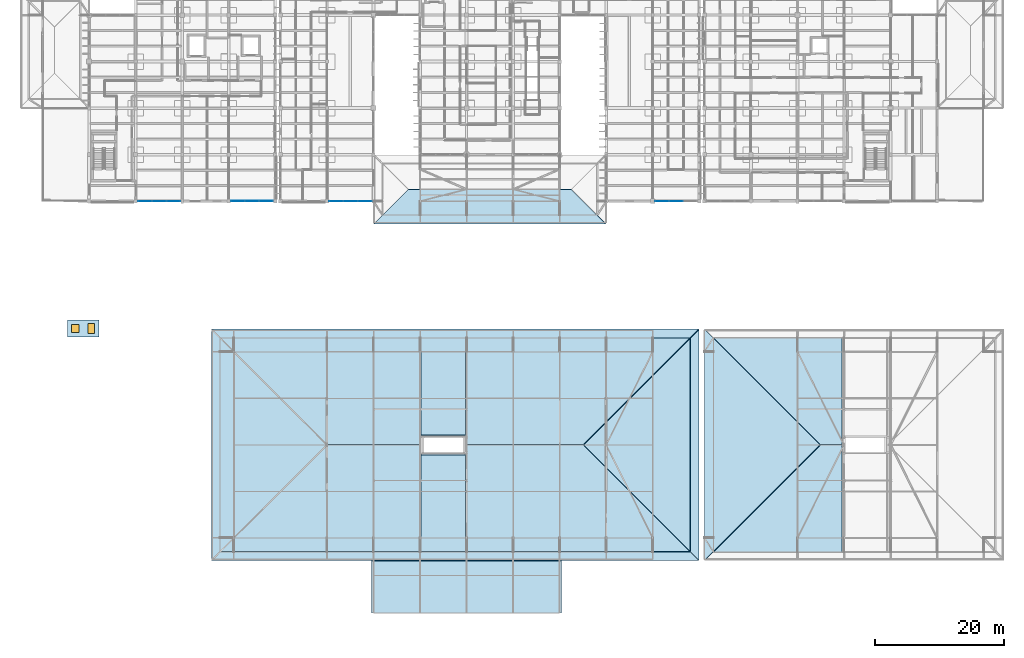
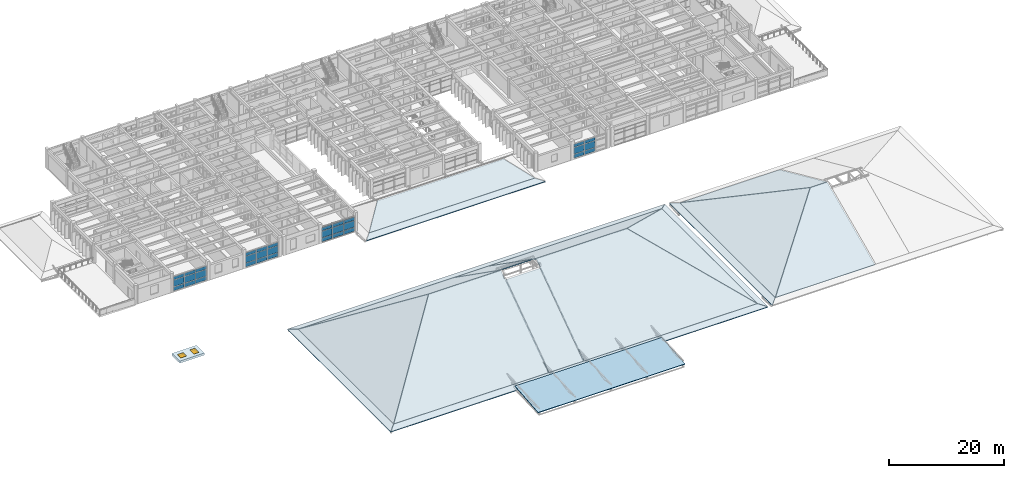
# One storey, part 48 of 100: 33 plates, 20 slabs, 1 door, 1 window, 2 openings, 7 elements without a shape of their own.
"""IFC4 building model written with IfcOpenShell, lengths in metres."""

from ifc_helpers import new_model, si_unit, direction, frame, origin, origin_2d, place, context, subcontext, project, spatial, polyline, rectangle, outline, extrude, material, layer, layer_set, type_object, element, fill, aggregate, save


model = new_model("IFC4")

# Units and contexts
model_context = context("Model", 3, precision=1e-05, world=origin(), true_north=direction((0.0, 1.0)))
body_context = subcontext(model_context, "Body", "Model", "MODEL_VIEW")
ifc_project = project(units=[si_unit("LENGTHUNIT", "METRE"), si_unit("AREAUNIT", "SQUARE_METRE"), si_unit("VOLUMEUNIT", "CUBIC_METRE"), si_unit("PLANEANGLEUNIT", "RADIAN"), si_unit("MASSUNIT", "GRAM", prefix="KILO")], contexts=[model_context])

# Site, building, storey
site_placement = place(None, origin())
site = spatial("IfcSite", under=ifc_project, at=site_placement, CompositionType="ELEMENT")
building_placement = place(site_placement, origin())
building = spatial("IfcBuilding", under=site, at=building_placement, Name="Steenspoor Specialist Clinic", CompositionType="ELEMENT")
storey_placement = place(building_placement, frame((0.0, 0.0, 9.0)))
storey = spatial("IfcBuildingStorey", under=building, at=storey_placement, Name="L02", CompositionType="ELEMENT", Elevation=9.0)

# Curtain wall, plates
ifc_material_1 = material(Name="Thermally broken aluminium and low-emissivity glass", Category="aluminium")
curtain_wall_type_1 = type_object("IfcCurtainWallType", Name="CW-SCR-480X320", PredefinedType="USERDEFINED", material=ifc_material_1)
curtain_wall_1_placement = place(storey_placement, origin())
curtain_wall_1 = element("IfcCurtainWall", 1, at=curtain_wall_1_placement, inside=storey, type_object=curtain_wall_type_1, Name="Unitised Curtain Wall CW-V4-L02-090", ObjectType="UNITISED GLAZING", PredefinedType="USERDEFINED")
ifc_material_2 = material(Name="Double low-emissivity insulated glass", Category="glass")
ifc_layer_1 = layer(ifc_material_2, 0.035888671875)
ifc_layer_set_1 = layer_set([ifc_layer_1], Name="Double low-emissivity insulated glass")
plate_type_1 = type_object("IfcPlateType", Name="CW-PAN-GL36", PredefinedType="CURTAIN_PANEL", material=ifc_layer_set_1)
plate_1_placement = place(storey_placement, frame((113.612548828125, 65.14990234375, 0.080078125), z_axis=(0.0, 0.0, 1.0), x_axis=(-1.0, 0.0, 0.0)))
plate_1 = element("IfcPlate", 2, at=plate_1_placement, type_object=plate_type_1, Name="CW-18 panel 2.1", PredefinedType="CURTAIN_PANEL", context=body_context, shape_type="SweptSolid", body=[
    extrude(rectangle(XDim=2.111572265625, YDim=0.035888671875, at=origin_2d()), origin(), (0.0, 0.0, 1.0), 0.780029296875),
])
plate_2_placement = place(storey_placement, frame((113.612548828125, 65.14990234375, 0.93994140625), z_axis=(0.0, 0.0, 1.0), x_axis=(-1.0, 0.0, 0.0)))
plate_2 = element("IfcPlate", 3, at=plate_2_placement, type_object=plate_type_1, Name="CW-18 panel 2.2", PredefinedType="CURTAIN_PANEL", context=body_context, shape_type="SweptSolid", body=[
    extrude(rectangle(XDim=2.111572265625, YDim=0.035888671875, at=origin_2d()), origin(), (0.0, 0.0, 1.0), 1.3701171875),
])
plate_3_placement = place(storey_placement, frame((113.612548828125, 65.14990234375, 2.39013671875), z_axis=(0.0, 0.0, 1.0), x_axis=(-1.0, 0.0, 0.0)))
plate_3 = element("IfcPlate", 4, at=plate_3_placement, type_object=plate_type_1, Name="CW-18 panel 2.3", PredefinedType="CURTAIN_PANEL", context=body_context, shape_type="SweptSolid", body=[
    extrude(rectangle(XDim=2.111572265625, YDim=0.035888671875, at=origin_2d()), origin(), (0.0, 0.0, 1.0), 0.659912109375),
])
plate_4_placement = place(storey_placement, frame((111.44091796875, 65.14990234375, 0.080078125), z_axis=(0.0, 0.0, 1.0), x_axis=(-1.0, 0.0, 0.0)))
plate_4 = element("IfcPlate", 5, at=plate_4_placement, type_object=plate_type_1, Name="CW-18 panel 3.1", PredefinedType="CURTAIN_PANEL", context=body_context, shape_type="SweptSolid", body=[
    extrude(rectangle(XDim=2.07177734375, YDim=0.035888671875, at=origin_2d()), origin(), (0.0, 0.0, 1.0), 0.780029296875),
])
plate_5_placement = place(storey_placement, frame((111.44091796875, 65.14990234375, 0.93994140625), z_axis=(0.0, 0.0, 1.0), x_axis=(-1.0, 0.0, 0.0)))
plate_5 = element("IfcPlate", 6, at=plate_5_placement, type_object=plate_type_1, Name="CW-18 panel 3.2", PredefinedType="CURTAIN_PANEL", context=body_context, shape_type="SweptSolid", body=[
    extrude(rectangle(XDim=2.07177734375, YDim=0.035888671875, at=origin_2d()), origin(), (0.0, 0.0, 1.0), 1.3701171875),
])
plate_6_placement = place(storey_placement, frame((111.44091796875, 65.14990234375, 2.39013671875), z_axis=(0.0, 0.0, 1.0), x_axis=(-1.0, 0.0, 0.0)))
plate_6 = element("IfcPlate", 7, at=plate_6_placement, type_object=plate_type_1, Name="CW-18 panel 3.3", PredefinedType="CURTAIN_PANEL", context=body_context, shape_type="SweptSolid", body=[
    extrude(rectangle(XDim=2.07177734375, YDim=0.035888671875, at=origin_2d()), origin(), (0.0, 0.0, 1.0), 0.659912109375),
])
aggregate(curtain_wall_1, [plate_1, plate_2, plate_3, plate_4, plate_5, plate_6])

curtain_wall_type_2 = type_object("IfcCurtainWallType", Name="CW-L00-480X415", PredefinedType="USERDEFINED", material=ifc_material_1)
curtain_wall_2_placement = place(storey_placement, origin())
curtain_wall_2 = element("IfcCurtainWall", 8, at=curtain_wall_2_placement, inside=storey, type_object=curtain_wall_type_2, Name="Unitised Curtain Wall CW-V5-L02-150", ObjectType="UNITISED GLAZING", PredefinedType="USERDEFINED")
plate_7_placement = place(storey_placement, frame((35.842529296875, 65.14990234375, 0.080078125), z_axis=(0.0, 0.0, 1.0), x_axis=(-1.0, 0.0, 0.0)))
plate_7 = element("IfcPlate", 9, at=plate_7_placement, type_object=plate_type_1, Name="CW-06 panel 1.1", PredefinedType="CURTAIN_PANEL", context=body_context, shape_type="SweptSolid", body=[
    extrude(rectangle(XDim=2.10498046875, YDim=0.035888671875, at=origin_2d()), origin(), (0.0, 0.0, 1.0), 0.780029296875),
])
plate_8_placement = place(storey_placement, frame((35.842529296875, 65.14990234375, 0.93994140625), z_axis=(0.0, 0.0, 1.0), x_axis=(-1.0, 0.0, 0.0)))
plate_8 = element("IfcPlate", 10, at=plate_8_placement, type_object=plate_type_1, Name="CW-06 panel 1.2", PredefinedType="CURTAIN_PANEL", context=body_context, shape_type="SweptSolid", body=[
    extrude(rectangle(XDim=2.10498046875, YDim=0.035888671875, at=origin_2d()), origin(), (0.0, 0.0, 1.0), 1.3701171875),
])
plate_9_placement = place(storey_placement, frame((35.842529296875, 65.14990234375, 2.39013671875), z_axis=(0.0, 0.0, 1.0), x_axis=(-1.0, 0.0, 0.0)))
plate_9 = element("IfcPlate", 11, at=plate_9_placement, type_object=plate_type_1, Name="CW-06 panel 1.3", PredefinedType="CURTAIN_PANEL", context=body_context, shape_type="SweptSolid", body=[
    extrude(rectangle(XDim=2.10498046875, YDim=0.035888671875, at=origin_2d()), origin(), (0.0, 0.0, 1.0), 0.659912109375),
])
plate_10_placement = place(storey_placement, frame((33.637451171875, 65.14990234375, 0.080078125), z_axis=(0.0, 0.0, 1.0), x_axis=(-1.0, 0.0, 0.0)))
plate_10 = element("IfcPlate", 12, at=plate_10_placement, type_object=plate_type_1, Name="CW-06 panel 2.1", PredefinedType="CURTAIN_PANEL", context=body_context, shape_type="SweptSolid", body=[
    extrude(rectangle(XDim=2.14501953125, YDim=0.035888671875, at=origin_2d()), origin(), (0.0, 0.0, 1.0), 0.780029296875),
])
plate_11_placement = place(storey_placement, frame((33.637451171875, 65.14990234375, 0.93994140625), z_axis=(0.0, 0.0, 1.0), x_axis=(-1.0, 0.0, 0.0)))
plate_11 = element("IfcPlate", 13, at=plate_11_placement, type_object=plate_type_1, Name="CW-06 panel 2.2", PredefinedType="CURTAIN_PANEL", context=body_context, shape_type="SweptSolid", body=[
    extrude(rectangle(XDim=2.14501953125, YDim=0.035888671875, at=origin_2d()), origin(), (0.0, 0.0, 1.0), 1.3701171875),
])
plate_12_placement = place(storey_placement, frame((33.637451171875, 65.14990234375, 2.39013671875), z_axis=(0.0, 0.0, 1.0), x_axis=(-1.0, 0.0, 0.0)))
plate_12 = element("IfcPlate", 14, at=plate_12_placement, type_object=plate_type_1, Name="CW-06 panel 2.3", PredefinedType="CURTAIN_PANEL", context=body_context, shape_type="SweptSolid", body=[
    extrude(rectangle(XDim=2.14501953125, YDim=0.035888671875, at=origin_2d()), origin(), (0.0, 0.0, 1.0), 0.659912109375),
])
plate_13_placement = place(storey_placement, frame((31.4326171875, 65.14990234375, 0.080078125), z_axis=(0.0, 0.0, 1.0), x_axis=(-1.0, 0.0, 0.0)))
plate_13 = element("IfcPlate", 15, at=plate_13_placement, type_object=plate_type_1, Name="CW-06 panel 3.1", PredefinedType="CURTAIN_PANEL", context=body_context, shape_type="SweptSolid", body=[
    extrude(rectangle(XDim=2.10498046875, YDim=0.035888671875, at=origin_2d()), origin(), (0.0, 0.0, 1.0), 0.780029296875),
])
plate_14_placement = place(storey_placement, frame((31.4326171875, 65.14990234375, 0.93994140625), z_axis=(0.0, 0.0, 1.0), x_axis=(-1.0, 0.0, 0.0)))
plate_14 = element("IfcPlate", 16, at=plate_14_placement, type_object=plate_type_1, Name="CW-06 panel 3.2", PredefinedType="CURTAIN_PANEL", context=body_context, shape_type="SweptSolid", body=[
    extrude(rectangle(XDim=2.10498046875, YDim=0.035888671875, at=origin_2d()), origin(), (0.0, 0.0, 1.0), 1.3701171875),
])
plate_15_placement = place(storey_placement, frame((31.4326171875, 65.14990234375, 2.39013671875), z_axis=(0.0, 0.0, 1.0), x_axis=(-1.0, 0.0, 0.0)))
plate_15 = element("IfcPlate", 17, at=plate_15_placement, type_object=plate_type_1, Name="CW-06 panel 3.3", PredefinedType="CURTAIN_PANEL", context=body_context, shape_type="SweptSolid", body=[
    extrude(rectangle(XDim=2.10498046875, YDim=0.035888671875, at=origin_2d()), origin(), (0.0, 0.0, 1.0), 0.659912109375),
])
aggregate(curtain_wall_2, [plate_7, plate_8, plate_9, plate_10, plate_11, plate_12, plate_13, plate_14, plate_15])

curtain_wall_type_3 = type_object("IfcCurtainWallType", Name="CW-L00-360X415", PredefinedType="USERDEFINED", material=ifc_material_1)
curtain_wall_3_placement = place(storey_placement, origin())
curtain_wall_3 = element("IfcCurtainWall", 18, at=curtain_wall_3_placement, inside=storey, type_object=curtain_wall_type_3, Name="Unitised Curtain Wall CW-V4-L02-103", ObjectType="UNITISED GLAZING", PredefinedType="USERDEFINED")
ifc_material_3 = material(Name="Triple acoustic laminated low-emissivity glass", Category="glass")
ifc_layer_2 = layer(ifc_material_3, 0.048095703125)
ifc_layer_set_2 = layer_set([ifc_layer_2], Name="Triple acoustic laminated low-emissivity glass")
plate_type_2 = type_object("IfcPlateType", Name="CW-PAN-GL48", PredefinedType="CURTAIN_PANEL", material=ifc_layer_set_2)
plate_16_placement = place(storey_placement, frame((65.4423828125, 65.14990234375, 0.06005859375), z_axis=(0.0, 0.0, 1.0), x_axis=(-1.0, 0.0, 0.0)))
plate_16 = element("IfcPlate", 19, at=plate_16_placement, type_object=plate_type_2, Name="CW-07 panel 1.1", PredefinedType="CURTAIN_PANEL", context=body_context, shape_type="SweptSolid", body=[
    extrude(rectangle(XDim=2.10498046875, YDim=0.048095703125, at=origin_2d()), origin(), (0.0, 0.0, 1.0), 0.81005859375),
])
plate_17_placement = place(storey_placement, frame((65.4423828125, 65.14990234375, 0.93017578125), z_axis=(0.0, 0.0, 1.0), x_axis=(-1.0, 0.0, 0.0)))
plate_17 = element("IfcPlate", 20, at=plate_17_placement, type_object=plate_type_2, Name="CW-07 panel 1.2", PredefinedType="CURTAIN_PANEL", context=body_context, shape_type="SweptSolid", body=[
    extrude(rectangle(XDim=2.10498046875, YDim=0.048095703125, at=origin_2d()), origin(), (0.0, 0.0, 1.0), 1.389892578125),
])
plate_18_placement = place(storey_placement, frame((65.4423828125, 65.14990234375, 2.380126953125), z_axis=(0.0, 0.0, 1.0), x_axis=(-1.0, 0.0, 0.0)))
plate_18 = element("IfcPlate", 21, at=plate_18_placement, type_object=plate_type_2, Name="CW-07 panel 1.3", PredefinedType="CURTAIN_PANEL", context=body_context, shape_type="SweptSolid", body=[
    extrude(rectangle(XDim=2.10498046875, YDim=0.048095703125, at=origin_2d()), origin(), (0.0, 0.0, 1.0), 0.68994140625),
])
plate_19_placement = place(storey_placement, frame((63.237548828125, 65.14990234375, 0.06005859375), z_axis=(0.0, 0.0, 1.0), x_axis=(-1.0, 0.0, 0.0)))
plate_19 = element("IfcPlate", 22, at=plate_19_placement, type_object=plate_type_2, Name="CW-07 panel 2.1", PredefinedType="CURTAIN_PANEL", context=body_context, shape_type="SweptSolid", body=[
    extrude(rectangle(XDim=2.14501953125, YDim=0.048095703125, at=origin_2d()), origin(), (0.0, 0.0, 1.0), 0.81005859375),
])
plate_20_placement = place(storey_placement, frame((63.237548828125, 65.14990234375, 0.93017578125), z_axis=(0.0, 0.0, 1.0), x_axis=(-1.0, 0.0, 0.0)))
plate_20 = element("IfcPlate", 23, at=plate_20_placement, type_object=plate_type_2, Name="CW-07 panel 2.2", PredefinedType="CURTAIN_PANEL", context=body_context, shape_type="SweptSolid", body=[
    extrude(rectangle(XDim=2.14501953125, YDim=0.048095703125, at=origin_2d()), origin(), (0.0, 0.0, 1.0), 1.389892578125),
])
plate_21_placement = place(storey_placement, frame((63.237548828125, 65.14990234375, 2.380126953125), z_axis=(0.0, 0.0, 1.0), x_axis=(-1.0, 0.0, 0.0)))
plate_21 = element("IfcPlate", 24, at=plate_21_placement, type_object=plate_type_2, Name="CW-07 panel 2.3", PredefinedType="CURTAIN_PANEL", context=body_context, shape_type="SweptSolid", body=[
    extrude(rectangle(XDim=2.14501953125, YDim=0.048095703125, at=origin_2d()), origin(), (0.0, 0.0, 1.0), 0.68994140625),
])
plate_22_placement = place(storey_placement, frame((61.032470703125, 65.14990234375, 0.06005859375), z_axis=(0.0, 0.0, 1.0), x_axis=(-1.0, 0.0, 0.0)))
plate_22 = element("IfcPlate", 25, at=plate_22_placement, type_object=plate_type_2, Name="CW-07 panel 3.1", PredefinedType="CURTAIN_PANEL", context=body_context, shape_type="SweptSolid", body=[
    extrude(rectangle(XDim=2.10498046875, YDim=0.048095703125, at=origin_2d()), origin(), (0.0, 0.0, 1.0), 0.81005859375),
])
plate_23_placement = place(storey_placement, frame((61.032470703125, 65.14990234375, 0.93017578125), z_axis=(0.0, 0.0, 1.0), x_axis=(-1.0, 0.0, 0.0)))
plate_23 = element("IfcPlate", 26, at=plate_23_placement, type_object=plate_type_2, Name="CW-07 panel 3.2", PredefinedType="CURTAIN_PANEL", context=body_context, shape_type="SweptSolid", body=[
    extrude(rectangle(XDim=2.10498046875, YDim=0.048095703125, at=origin_2d()), origin(), (0.0, 0.0, 1.0), 1.389892578125),
])
plate_24_placement = place(storey_placement, frame((61.032470703125, 65.14990234375, 2.380126953125), z_axis=(0.0, 0.0, 1.0), x_axis=(-1.0, 0.0, 0.0)))
plate_24 = element("IfcPlate", 27, at=plate_24_placement, type_object=plate_type_2, Name="CW-07 panel 3.3", PredefinedType="CURTAIN_PANEL", context=body_context, shape_type="SweptSolid", body=[
    extrude(rectangle(XDim=2.10498046875, YDim=0.048095703125, at=origin_2d()), origin(), (0.0, 0.0, 1.0), 0.68994140625),
])
aggregate(curtain_wall_3, [plate_16, plate_17, plate_18, plate_19, plate_20, plate_21, plate_22, plate_23, plate_24])

curtain_wall_type_4 = type_object("IfcCurtainWallType", Name="CW-L00-650X415", PredefinedType="USERDEFINED", material=ifc_material_1)
curtain_wall_4_placement = place(storey_placement, origin())
curtain_wall_4 = element("IfcCurtainWall", 28, at=curtain_wall_4_placement, inside=storey, type_object=curtain_wall_type_4, Name="Unitised Curtain Wall CW-V5-L02-149", ObjectType="UNITISED GLAZING", PredefinedType="USERDEFINED")
ifc_material_4 = material(Name="Insulated glazed ceramic spandrel panel", Category="glass")
ifc_layer_3 = layer(ifc_material_4, 0.074951171875)
ifc_layer_set_3 = layer_set([ifc_layer_3], Name="Insulated glazed ceramic spandrel panel")
plate_type_3 = type_object("IfcPlateType", Name="CW-PAN-SP75", PredefinedType="CURTAIN_PANEL", material=ifc_layer_set_3)
plate_25_placement = place(storey_placement, frame((50.17333984375, 65.14990234375, 0.08984375), z_axis=(0.0, 0.0, 1.0), x_axis=(-1.0, 0.0, 0.0)))
plate_25 = element("IfcPlate", 29, at=plate_25_placement, type_object=plate_type_3, Name="CW-05 panel 1.1", PredefinedType="CURTAIN_PANEL", context=body_context, shape_type="SweptSolid", body=[
    extrude(rectangle(XDim=2.0732421875, YDim=0.074951171875, at=origin_2d()), origin(), (0.0, 0.0, 1.0), 0.764892578125),
])
plate_26_placement = place(storey_placement, frame((50.17333984375, 65.14990234375, 0.94482421875), z_axis=(0.0, 0.0, 1.0), x_axis=(-1.0, 0.0, 0.0)))
plate_26 = element("IfcPlate", 30, at=plate_26_placement, type_object=plate_type_3, Name="CW-05 panel 1.2", PredefinedType="CURTAIN_PANEL", context=body_context, shape_type="SweptSolid", body=[
    extrude(rectangle(XDim=2.0732421875, YDim=0.074951171875, at=origin_2d()), origin(), (0.0, 0.0, 1.0), 1.360107421875),
])
plate_27_placement = place(storey_placement, frame((50.17333984375, 65.14990234375, 2.39501953125), z_axis=(0.0, 0.0, 1.0), x_axis=(-1.0, 0.0, 0.0)))
plate_27 = element("IfcPlate", 31, at=plate_27_placement, type_object=plate_type_3, Name="CW-05 panel 1.3", PredefinedType="CURTAIN_PANEL", context=body_context, shape_type="SweptSolid", body=[
    extrude(rectangle(XDim=2.0732421875, YDim=0.074951171875, at=origin_2d()), origin(), (0.0, 0.0, 1.0), 0.64501953125),
])
plate_28_placement = place(storey_placement, frame((47.987548828125, 65.14990234375, 0.08984375), z_axis=(0.0, 0.0, 1.0), x_axis=(-1.0, 0.0, 0.0)))
plate_28 = element("IfcPlate", 32, at=plate_28_placement, type_object=plate_type_3, Name="CW-05 panel 2.1", PredefinedType="CURTAIN_PANEL", context=body_context, shape_type="SweptSolid", body=[
    extrude(rectangle(XDim=2.118408203125, YDim=0.074951171875, at=origin_2d()), origin(), (0.0, 0.0, 1.0), 0.764892578125),
])
plate_29_placement = place(storey_placement, frame((47.987548828125, 65.14990234375, 0.94482421875), z_axis=(0.0, 0.0, 1.0), x_axis=(-1.0, 0.0, 0.0)))
plate_29 = element("IfcPlate", 33, at=plate_29_placement, type_object=plate_type_3, Name="CW-05 panel 2.2", PredefinedType="CURTAIN_PANEL", context=body_context, shape_type="SweptSolid", body=[
    extrude(rectangle(XDim=2.118408203125, YDim=0.074951171875, at=origin_2d()), origin(), (0.0, 0.0, 1.0), 1.360107421875),
])
plate_30_placement = place(storey_placement, frame((47.987548828125, 65.14990234375, 2.39501953125), z_axis=(0.0, 0.0, 1.0), x_axis=(-1.0, 0.0, 0.0)))
plate_30 = element("IfcPlate", 34, at=plate_30_placement, type_object=plate_type_3, Name="CW-05 panel 2.3", PredefinedType="CURTAIN_PANEL", context=body_context, shape_type="SweptSolid", body=[
    extrude(rectangle(XDim=2.118408203125, YDim=0.074951171875, at=origin_2d()), origin(), (0.0, 0.0, 1.0), 0.64501953125),
])
plate_31_placement = place(storey_placement, frame((45.8017578125, 65.14990234375, 0.08984375), z_axis=(0.0, 0.0, 1.0), x_axis=(-1.0, 0.0, 0.0)))
plate_31 = element("IfcPlate", 35, at=plate_31_placement, type_object=plate_type_3, Name="CW-05 panel 3.1", PredefinedType="CURTAIN_PANEL", context=body_context, shape_type="SweptSolid", body=[
    extrude(rectangle(XDim=2.0732421875, YDim=0.074951171875, at=origin_2d()), origin(), (0.0, 0.0, 1.0), 0.764892578125),
])
plate_32_placement = place(storey_placement, frame((45.8017578125, 65.14990234375, 0.94482421875), z_axis=(0.0, 0.0, 1.0), x_axis=(-1.0, 0.0, 0.0)))
plate_32 = element("IfcPlate", 36, at=plate_32_placement, type_object=plate_type_3, Name="CW-05 panel 3.2", PredefinedType="CURTAIN_PANEL", context=body_context, shape_type="SweptSolid", body=[
    extrude(rectangle(XDim=2.0732421875, YDim=0.074951171875, at=origin_2d()), origin(), (0.0, 0.0, 1.0), 1.360107421875),
])
plate_33_placement = place(storey_placement, frame((45.8017578125, 65.14990234375, 2.39501953125), z_axis=(0.0, 0.0, 1.0), x_axis=(-1.0, 0.0, 0.0)))
plate_33 = element("IfcPlate", 37, at=plate_33_placement, type_object=plate_type_3, Name="CW-05 panel 3.3", PredefinedType="CURTAIN_PANEL", context=body_context, shape_type="SweptSolid", body=[
    extrude(rectangle(XDim=2.0732421875, YDim=0.074951171875, at=origin_2d()), origin(), (0.0, 0.0, 1.0), 0.64501953125),
])
aggregate(curtain_wall_4, [plate_25, plate_26, plate_27, plate_28, plate_29, plate_30, plate_31, plate_32, plate_33])

# Roof, slab
ifc_material_5 = material(Name="Extruded terracotta clay roof tile", Category="masonry")
roof_type = type_object("IfcRoofType", Name="ROOF-HIP-TIER", PredefinedType="HIP_ROOF", material=ifc_material_5)
roof_1_placement = place(storey_placement, origin())
roof_1 = element("IfcRoof", 38, at=roof_1_placement, inside=storey, type_object=roof_type, Name="Tiered Hipped Roof V1", PredefinedType="HIP_ROOF")
ifc_material_6 = material(Name="Concrete C35/45", Category="concrete")
ifc_layer_4 = layer(ifc_material_6, 0.1298828125)
ifc_layer_set_4 = layer_set([ifc_layer_4], Name="Concrete C35/45")
slab_type_1 = type_object("IfcSlabType", Name="SL-CANOPY-130", PredefinedType="ROOF", material=ifc_layer_set_4)
slab_1_placement = place(storey_placement, frame((66.5, 1.449951171875, 0.300048828125), z_axis=(0.0, -0.090138624073, 0.995929228635), x_axis=(1.0, 0.0, 0.0)))
slab_1 = element("IfcSlab", 39, at=slab_1_placement, type_object=slab_type_1, Name="Entrance Canopy Roof Slab V1", PredefinedType="ROOF", context=body_context, shape_type="SweptSolid", body=[
    extrude(outline(polyline([(0.0, 0.0), (29.39990234375, 0.0), (29.39990234375, 8.093003360082507), (0.0, 8.093003360082507), (0.0, 0.0)])), origin(), (0.0, 0.0, -1.0), 0.1298828125),
])

# Slab, openings, door, window
ifc_layer_5 = layer(ifc_material_6, 0.219970703125)
ifc_layer_set_5 = layer_set([ifc_layer_5], Name="Concrete C35/45")
slab_type_2 = type_object("IfcSlabType", Name="SL-CURB-220", PredefinedType="ROOF", material=ifc_layer_set_5)
slab_2_placement = place(storey_placement, frame((0.0, 0.0, 1.340087890625)))
slab_2 = element("IfcSlab", 40, at=slab_2_placement, inside=storey, type_object=slab_type_2, Name="Roof Skylight Curb Slab V3", PredefinedType="ROOF", context=body_context, shape_type="SweptSolid", body=[
    extrude(outline(polyline([(19.449951171875, 44.10009765625), (19.449951171875, 46.800048828125), (24.35009765625, 46.800048828125), (24.35009765625, 44.10009765625), (19.449951171875, 44.10009765625)]), holes=[polyline([(21.25, 44.85009765625), (21.25, 46.050048828125), (20.050048828125, 46.050048828125), (20.050048828125, 44.85009765625), (21.25, 44.85009765625)]), polyline([(23.64990234375, 44.699951171875), (23.64990234375, 46.199951171875), (22.64990234375, 46.199951171875), (22.64990234375, 44.699951171875), (23.64990234375, 44.699951171875)])]), origin(), (0.0, 0.0, 1.0), 0.43994140625),
])
opening_1_placement = place(slab_2_placement, frame((20.64990234375, 45.449951171875, -0.010009765625)))
opening_1 = element("IfcOpeningElement", 41, at=opening_1_placement, cuts=slab_2, Name="Opening SK-01", PredefinedType="OPENING", context=body_context, shape_type="SweptSolid", body=[
    extrude(rectangle(XDim=1.199951171875, YDim=1.199951171875, at=origin_2d()), origin(), (0.0, 0.0, 1.0), 0.4599609375),
])
opening_2_placement = place(slab_2_placement, frame((23.14990234375, 45.449951171875, -0.010009765625)))
opening_2 = element("IfcOpeningElement", 42, at=opening_2_placement, cuts=slab_2, Name="Opening HT05", PredefinedType="OPENING", context=body_context, shape_type="SweptSolid", body=[
    extrude(rectangle(XDim=1.0, YDim=1.5, at=origin_2d()), origin(), (0.0, 0.0, 1.0), 0.4599609375),
])
ifc_material_7 = material(Name="Insulated aluminium roof hatch", Category="aluminium")
door_type = type_object("IfcDoorType", Name="DT-HATCH-100X150", OperationType="NOTDEFINED", PredefinedType="TRAPDOOR", material=ifc_material_7)
door_placement = place(slab_2_placement, frame((23.14990234375, 45.449951171875, 0.3798828125)))
door = element("IfcDoor", 43, at=door_placement, inside=storey, type_object=door_type, Name="Roof Access Hatch HT05", OperationType="SINGLE_SWING_LEFT", OverallHeight=1.5, OverallWidth=1.0, PredefinedType="TRAPDOOR", context=body_context, shape_type="SweptSolid", body=[
    extrude(rectangle(XDim=1.0, YDim=1.5, at=origin_2d()), origin(), (0.0, 0.0, 1.0), 0.06005859375),
])
fill(opening_2, door)
window_type = type_object("IfcWindowType", Name="SK-ROOF-120X120", PartitioningType="SINGLE_PANEL", PredefinedType="SKYLIGHT", material=ifc_material_1)
window_placement = place(slab_2_placement, frame((20.64990234375, 45.449951171875, 0.3798828125)))
window = element("IfcWindow", 44, at=window_placement, inside=storey, type_object=window_type, Name="Roof Skylight V3 5", OverallHeight=1.199951171875, OverallWidth=1.199951171875, PartitioningType="SINGLE_PANEL", PredefinedType="SKYLIGHT", context=body_context, shape_type="SweptSolid", body=[
    extrude(rectangle(XDim=1.199951171875, YDim=1.199951171875, at=origin_2d()), origin(), (0.0, 0.0, 1.0), 0.06005859375),
])
fill(opening_1, window)

# Slab
ifc_layer_6 = layer(ifc_material_6, 0.14990234375)
ifc_layer_set_6 = layer_set([ifc_layer_6], Name="Concrete C35/45")
slab_type_3 = type_object("IfcSlabType", Name="SL-ROOF-150", PredefinedType="ROOF", material=ifc_layer_set_6)
slab_3_placement = place(storey_placement, frame((43.100341796875, 10.89111328125, 0.33447265625), z_axis=(0.0, -0.241995280227, 0.970277426486), x_axis=(-0.696295200328, -0.696421983868, -0.173693449463)))
slab_3 = element("IfcSlab", 45, at=slab_3_placement, type_object=slab_type_3, Name="Hipped Roof Slab RSLAB-V1-SKS", PredefinedType="ROOF", context=body_context, shape_type="SweptSolid", body=[
    extrude(outline(polyline([(0.0, 0.0), (1.9256492244505445, -5.551115123125783e-17), (-50.54094209361421, 54.08364985263794), (-50.59920782792763, 52.158712244076355), (0.0, 0.0)])), origin(), (0.0, 0.0, -1.0), 0.14990234375),
])

slab_4_placement = place(storey_placement, frame((115.76953125, 44.009033203125, 0.33447265625), z_axis=(0.0, 0.241995280227, 0.970277426486), x_axis=(0.696360507135, 0.696360507135, -0.173678116653)))
slab_4 = element("IfcSlab", 46, at=slab_4_placement, type_object=slab_type_3, Name="Hipped Roof Slab RSLAB-V1-SKN", PredefinedType="ROOF", context=body_context, shape_type="SweptSolid", body=[
    extrude(outline(polyline([(0.0, 0.0), (1.9258192263683114, -5.551115123125783e-17), (-50.54569302979991, 54.07887561211271), (-50.60395362069881, 52.154107927643985), (0.0, 0.0)])), origin(), (0.0, 0.0, -1.0), 0.14990234375),
])

slab_5_placement = place(storey_placement, frame((43.041015625, 43.94970703125, 0.33447265625), z_axis=(-0.241995280227, 0.0, 0.970277426486), x_axis=(-0.696421983868, 0.696295200328, -0.173693449463)))
slab_5 = element("IfcSlab", 47, at=slab_5_placement, type_object=slab_type_3, Name="Hipped Roof Slab RSLAB-V1-SKW", PredefinedType="ROOF", context=body_context, shape_type="SweptSolid", body=[
    extrude(outline(polyline([(0.0, 0.0), (1.9256492244505445, -6.245004513516506e-17), (-22.91896589467012, 25.61034424135406), (-22.977231628983542, 23.685406632792482), (0.0, 0.0)])), origin(), (0.0, 0.0, -1.0), 0.14990234375),
])

slab_6_placement = place(storey_placement, frame((115.8291015625, 10.950439453125, 0.33447265625), z_axis=(0.242036762378, 0.0, 0.970267079549), x_axis=(0.696295200328, -0.696421983868, -0.173693449463)))
slab_6 = element("IfcSlab", 48, at=slab_6_placement, type_object=slab_type_3, Name="Hipped Roof Slab RSLAB-V1-SKE", PredefinedType="ROOF", context=body_context, shape_type="SweptSolid", body=[
    extrude(outline(polyline([(0.0, 0.0), (1.9256492244505445, -1.249000902703301e-16), (-22.923489677466755, 25.6059549404258), (-22.98141539293638, 23.681347242714015), (0.0, 0.0)])), origin(), (0.0, 0.0, -1.0), 0.14990234375),
])

slab_7_placement = place(storey_placement, frame((43.118408203125, 10.908935546875, 0.343017578125), z_axis=(0.0, -0.576057138539, 0.817409428095), x_axis=(1.0, 0.0, 0.0)))
slab_7 = element("IfcSlab", 49, at=slab_7_placement, type_object=slab_type_3, Name="Hipped Roof Slab RSLAB-V1-S1", PredefinedType="ROOF", context=body_context, shape_type="SweptSolid", body=[
    extrude(outline(polyline([(0.0, 0.0), (30.9296875, 0.0), (30.9296875, 20.18452793718375), (16.4990234375, 20.18452793718375), (0.0, 0.0)])), origin(), (0.0, 0.0, -1.0), 0.14990234375),
])

slab_8_placement = place(storey_placement, frame((99.252685546875, 27.407958984375, 11.970458984375), z_axis=(0.0, -0.576057138539, 0.817409428095), x_axis=(-1.0, 0.0, 0.0)))
slab_8 = element("IfcSlab", 50, at=slab_8_placement, type_object=slab_type_3, Name="Hipped Roof Slab RSLAB-V1-S2", PredefinedType="ROOF", context=body_context, shape_type="SweptSolid", body=[
    extrude(outline(polyline([(0.0, 0.0), (18.1005859375, 0.0), (18.1005859375, 20.18452793718375), (-16.4990234375, 20.18452793718375), (0.0, 0.0)])), origin(), (0.0, 0.0, -1.0), 0.14990234375),
])

slab_9_placement = place(storey_placement, frame((74.132080078125, 10.908935546875, 0.343017578125), z_axis=(0.0, -0.57605524169, 0.817410764868), x_axis=(1.0, 0.0, 0.0)))
slab_9 = element("IfcSlab", 51, at=slab_9_placement, type_object=slab_type_3, Name="Hipped Roof Slab RSLAB-V1-S3", PredefinedType="ROOF", context=body_context, shape_type="SweptSolid", body=[
    extrude(outline(polyline([(0.0, 0.0), (6.93603515625, 0.0), (6.93603515625, 18.33718653594948), (0.0, 18.33718653594948), (0.0, 0.0)])), origin(), (0.0, 0.0, -1.0), 0.14990234375),
])

slab_10_placement = place(storey_placement, frame((59.617431640625, 27.491943359375, 11.970458984375), z_axis=(0.0, 0.576057138539, 0.817409428095), x_axis=(1.0, 0.0, 0.0)))
slab_10 = element("IfcSlab", 52, at=slab_10_placement, type_object=slab_type_3, Name="Hipped Roof Slab RSLAB-V1-N1", PredefinedType="ROOF", context=body_context, shape_type="SweptSolid", body=[
    extrude(outline(polyline([(0.0, 0.0), (14.4306640625, 0.0), (14.4306640625, 20.18452793718375), (-16.4990234375, 20.18452793718375), (0.0, 0.0)])), origin(), (0.0, 0.0, -1.0), 0.14990234375),
])

slab_11_placement = place(storey_placement, frame((115.751708984375, 43.990966796875, 0.343017578125), z_axis=(0.0, 0.576057138539, 0.817409428095), x_axis=(-1.0, 0.0, 0.0)))
slab_11 = element("IfcSlab", 53, at=slab_11_placement, type_object=slab_type_3, Name="Hipped Roof Slab RSLAB-V1-N2", PredefinedType="ROOF", context=body_context, shape_type="SweptSolid", body=[
    extrude(outline(polyline([(0.0, 0.0), (34.599609375, 0.0), (34.599609375, 20.18452793718375), (16.4990234375, 20.18452793718375), (0.0, 0.0)])), origin(), (0.0, 0.0, -1.0), 0.14990234375),
])

slab_12_placement = place(storey_placement, frame((81.068115234375, 43.990966796875, 0.343017578125), z_axis=(0.0, 0.57605524169, 0.817410764868), x_axis=(-1.0, 0.0, 0.0)))
slab_12 = element("IfcSlab", 54, at=slab_12_placement, type_object=slab_type_3, Name="Hipped Roof Slab RSLAB-V1-N3", PredefinedType="ROOF", context=body_context, shape_type="SweptSolid", body=[
    extrude(outline(polyline([(0.0, 0.0), (6.93603515625, 0.0), (6.93603515625, 18.33718653594948), (0.0, 18.33718653594948), (0.0, 0.0)])), origin(), (0.0, 0.0, -1.0), 0.14990234375),
])

slab_13_placement = place(storey_placement, frame((59.54052734375, 27.449951171875, 11.9580078125), z_axis=(-0.576055042578, 0.0, 0.817410905188), x_axis=(-0.632876431156, 0.632885805992, -0.446007824439)))
slab_13 = element("IfcSlab", 55, at=slab_13_placement, type_object=slab_type_3, Name="Hipped Roof Slab RSLAB-V1-W", PredefinedType="ROOF", context=body_context, shape_type="SweptSolid", body=[
    extrude(outline(polyline([(0.0, 0.0), (26.042122128636265, 3.552713678800501e-15), (5.180222014469585, 25.521547312090767), (0.0, 0.0)])), origin(), (0.0, 0.0, -1.0), 0.14990234375),
])

slab_14_placement = place(storey_placement, frame((99.329345703125, 27.449951171875, 11.9580078125), z_axis=(0.576049341114, 0.0, 0.817414923158), x_axis=(0.632885805992, -0.632876431156, -0.446007824439)))
slab_14 = element("IfcSlab", 56, at=slab_14_placement, type_object=slab_type_3, Name="Hipped Roof Slab RSLAB-V1-E", PredefinedType="ROOF", context=body_context, shape_type="SweptSolid", body=[
    extrude(outline(polyline([(0.0, 0.0), (26.042122128636265, -1.7763568394002505e-15), (5.180531038453264, 25.52179991228582), (0.0, 0.0)])), origin(), (0.0, 0.0, -1.0), 0.14990234375),
])

aggregate(roof_1, [slab_3, slab_4, slab_5, slab_6, slab_7, slab_8, slab_9, slab_10, slab_11, slab_12, slab_13, slab_14, slab_1])

# Roof, slabs
roof_2_placement = place(storey_placement, origin())
roof_2 = element("IfcRoof", 57, at=roof_2_placement, inside=storey, type_object=roof_type, Name="Tiered Hipped Roof V2", PredefinedType="HIP_ROOF")
slab_15_placement = place(storey_placement, frame((119.37109375, 43.94970703125, 0.33447265625), z_axis=(-0.241995280227, 0.0, 0.970277426486), x_axis=(-0.696421983868, 0.696295200328, -0.173693449463)))
slab_15 = element("IfcSlab", 58, at=slab_15_placement, type_object=slab_type_3, Name="Hipped Roof Slab RSLAB-V2-SKW", PredefinedType="ROOF", context=body_context, shape_type="SweptSolid", body=[
    extrude(outline(polyline([(0.0, 0.0), (1.9256492244505445, -6.245004513516506e-17), (-22.91896589467012, 25.61034424135406), (-22.977231628983542, 23.685406632792482), (0.0, 0.0)])), origin(), (0.0, 0.0, -1.0), 0.14990234375),
])
slab_16_placement = place(storey_placement, frame((119.448486328125, 10.908935546875, 0.3408203125), z_axis=(0.0, -0.411082476915, 0.911598155534), x_axis=(1.0, 0.0, 0.0)))
slab_16 = element("IfcSlab", 59, at=slab_16_placement, type_object=slab_type_3, Name="Hipped Roof Slab RSLAB-V2-S1", PredefinedType="ROOF", context=body_context, shape_type="SweptSolid", body=[
    extrude(outline(polyline([(0.0, 0.0), (19.849609375, 0.0), (19.849609375, 18.099009237057757), (16.4990234375, 18.099009237057757), (0.0, 0.0)])), origin(), (0.0, 0.0, -1.0), 0.14990234375),
])
slab_17_placement = place(storey_placement, frame((135.947509765625, 27.491943359375, 7.781005859375), z_axis=(0.0, 0.411082476915, 0.911598155534), x_axis=(1.0, 0.0, 0.0)))
slab_17 = element("IfcSlab", 60, at=slab_17_placement, type_object=slab_type_3, Name="Hipped Roof Slab RSLAB-V2-N1", PredefinedType="ROOF", context=body_context, shape_type="SweptSolid", body=[
    extrude(outline(polyline([(0.0, 0.0), (3.3505859375, 0.0), (3.3505859375, 18.099009237057757), (-16.4990234375, 18.099009237057757), (0.0, 0.0)])), origin(), (0.0, 0.0, -1.0), 0.14990234375),
])
slab_18_placement = place(storey_placement, frame((135.87060546875, 27.449951171875, 7.773193359375), z_axis=(-0.411082670359, 0.0, 0.911598068301), x_axis=(-0.673686609207, 0.673686609207, -0.303797144738)))
slab_18 = element("IfcSlab", 61, at=slab_18_placement, type_object=slab_type_3, Name="Hipped Roof Slab RSLAB-V2-W", PredefinedType="ROOF", context=body_context, shape_type="SweptSolid", body=[
    extrude(outline(polyline([(0.0, 0.0), (24.464920673617925, 1.7763568394002505e-15), (2.2580981845345387, 24.36032201172833), (0.0, 0.0)])), origin(), (0.0, 0.0, -1.0), 0.14990234375),
])
aggregate(roof_2, [slab_15, slab_16, slab_17, slab_18])

roof_3_placement = place(storey_placement, origin())
roof_3 = element("IfcRoof", 62, at=roof_3_placement, inside=storey, type_object=roof_type, Name="Tiered Hipped Roof V4T1", PredefinedType="HIP_ROOF")
slab_19_placement = place(storey_placement, frame((68.23046875, 62.990966796875, 0.33447265625), z_axis=(0.0, -0.241995280227, 0.970277426486), x_axis=(-0.696360507135, -0.696360507135, -0.173678116653)))
slab_19 = element("IfcSlab", 63, at=slab_19_placement, type_object=slab_type_3, Name="Hipped Roof Slab RSLAB-V4T1-SKS", PredefinedType="ROOF", context=body_context, shape_type="SweptSolid", body=[
    extrude(outline(polyline([(0.0, 0.0), (1.9258192263683114, -5.551115123125783e-17), (-23.018711791439046, 25.708658510331276), (-23.076802372448505, 23.783715608048766), (0.0, 0.0)])), origin(), (0.0, 0.0, -1.0), 0.14990234375),
])
slab_20_placement = place(storey_placement, frame((101.3515625, 63.009033203125, 0.343505859375), z_axis=(0.0, -0.609451554739, 0.792823310976), x_axis=(-0.621259947301, 0.621259947301, 0.477569006281)))
slab_20 = element("IfcSlab", 64, at=slab_20_placement, type_object=slab_type_3, Name="Hipped Roof Slab RSLAB-V4T1-S", PredefinedType="ROOF", context=body_context, shape_type="SweptSolid", body=[
    extrude(outline(polyline([(0.0, 0.0), (6.332425015235609, -2.220446049250313e-16), (22.009986522273554, 19.77434478779544), (20.565736697858828, 25.939873882549573), (0.0, 0.0)])), origin(), (0.0, 0.0, -1.0), 0.14990234375),
])
aggregate(roof_3, [slab_19, slab_20])

save(model, "model.ifc")
